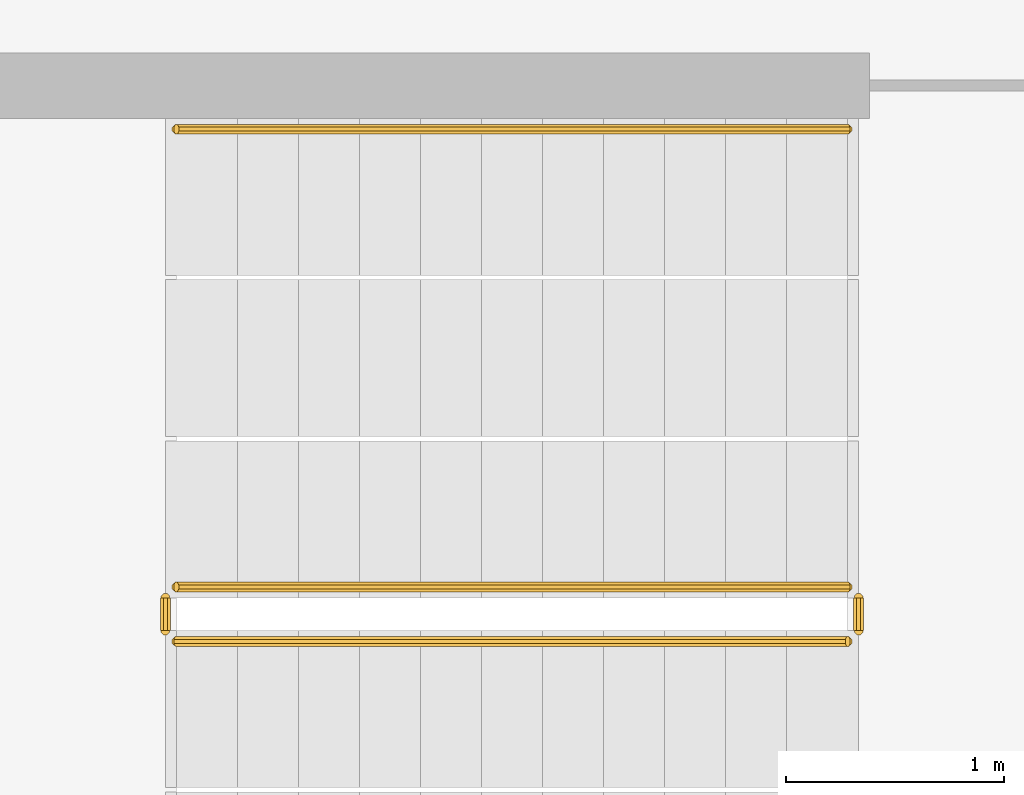
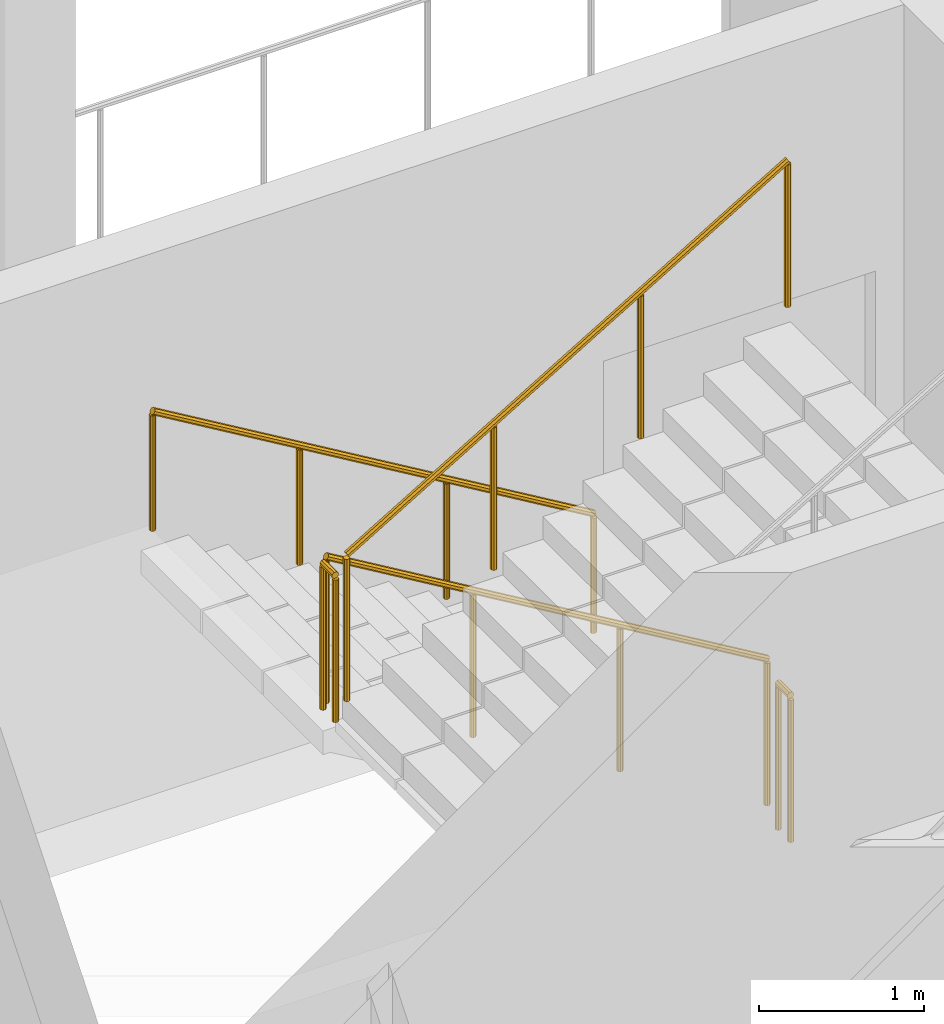
# One storey, part 20 of 28: 5 railings.
"""IFC4 building model written with IfcOpenShell, lengths in metres."""

from ifc_helpers import new_model, si_unit, direction, frame, origin, place, context, subcontext, project, spatial, polyline, outline, extrude, material, type_object, element, save


model = new_model("IFC4")

# Units and contexts
model_context = context("Model", 3, precision=1e-05, world=origin(), true_north=direction((0.0, 1.0)))
body_context = subcontext(model_context, "Body", "Model", "MODEL_VIEW")
ifc_project = project(units=[si_unit("LENGTHUNIT", "METRE"), si_unit("AREAUNIT", "SQUARE_METRE"), si_unit("VOLUMEUNIT", "CUBIC_METRE"), si_unit("PLANEANGLEUNIT", "RADIAN"), si_unit("MASSUNIT", "GRAM", prefix="KILO")], contexts=[model_context])

# Site, building, storey
site_placement = place(None, origin())
site = spatial("IfcSite", under=ifc_project, at=site_placement, CompositionType="ELEMENT")
building_placement = place(site_placement, origin())
building = spatial("IfcBuilding", under=site, at=building_placement, Name="Cormorant Relay Tower", CompositionType="ELEMENT")
storey_placement = place(building_placement, frame((0.0, 0.0, 142.199951171875)))
storey = spatial("IfcBuildingStorey", under=building, at=storey_placement, Name="L29", CompositionType="ELEMENT", Elevation=142.199951171875)

# Railings
ifc_material_1 = material(Name="Steel ASTM A572 Grade 50 (Fy 345 MPa)", Category="steel")
railing_type_1 = type_object("IfcRailingType", Name="Stair guard 1100", PredefinedType="GUARDRAIL", material=ifc_material_1)
railing_1_placement = place(storey_placement, frame((1.60009765625, -18.27490234375, 0.166748046875)))
element("IfcRailing", 1, at=railing_1_placement, inside=storey, type_object=railing_type_1, Name="L29 RK1 stair guard 1", PredefinedType="GUARDRAIL", context=body_context, shape_type="SweptSolid", body=[
    extrude(outline(polyline([(0.022216796875, 0.00927734375), (0.00927734375, 0.022216796875), (-0.00927734375, 0.022216796875), (-0.022216796875, 0.00927734375), (-0.022216796875, -0.00927734375), (-0.00927734375, -0.022216796875), (0.00927734375, -0.022216796875), (0.022216796875, -0.00927734375), (0.022216796875, 0.00927734375)])), frame((0.0, 0.0, 1.076171875), z_axis=(-0.859308565015, 0.0, 0.511457515432), x_axis=(0.0, -1.0, 0.0)), (0.0, 0.0, 1.0), 3.58447265625),
    extrude(outline(polyline([(0.019287109375, 0.008056640625), (0.008056640625, 0.019287109375), (-0.008056640625, 0.019287109375), (-0.019287109375, 0.008056640625), (-0.019287109375, -0.008056640625), (-0.008056640625, -0.019287109375), (0.008056640625, -0.019287109375), (0.019287109375, -0.008056640625), (0.019287109375, 0.008056640625)])), origin(), (0.0, 0.0, 1.0), 1.052001953125),
    extrude(outline(polyline([(0.019287109375, 0.008056640625), (0.008056640625, 0.019287109375), (-0.008056640625, 0.019287109375), (-0.019287109375, 0.008056640625), (-0.019287109375, -0.008056640625), (-0.008056640625, -0.019287109375), (0.008056640625, -0.019287109375), (0.019287109375, -0.008056640625), (0.019287109375, 0.008056640625)])), frame((-1.026611328125, 0.0, 0.611083984375)), (0.0, 0.0, 1.0), 1.052001953125),
    extrude(outline(polyline([(0.019287109375, 0.008056640625), (0.008056640625, 0.019287109375), (-0.008056640625, 0.019287109375), (-0.019287109375, 0.008056640625), (-0.019287109375, -0.008056640625), (-0.008056640625, -0.019287109375), (0.008056640625, -0.019287109375), (0.019287109375, -0.008056640625), (0.019287109375, 0.008056640625)])), frame((-2.053466796875, 0.0, 1.22216796875)), (0.0, 0.0, 1.0), 1.052001953125),
    extrude(outline(polyline([(0.019287109375, 0.008056640625), (0.008056640625, 0.019287109375), (-0.008056640625, 0.019287109375), (-0.019287109375, 0.008056640625), (-0.019287109375, -0.008056640625), (-0.008056640625, -0.019287109375), (0.008056640625, -0.019287109375), (0.019287109375, -0.008056640625), (0.019287109375, 0.008056640625)])), frame((-3.080078125, 0.0, 1.833251953125)), (0.0, 0.0, 1.0), 1.052001953125),
])
railing_2_placement = place(storey_placement, frame((-1.530029296875, -18.324951171875, 2.0)))
element("IfcRailing", 2, at=railing_2_placement, inside=storey, type_object=railing_type_1, Name="L29 RK1 stair guard 2", PredefinedType="GUARDRAIL", context=body_context, shape_type="SweptSolid", body=[
    extrude(outline(polyline([(0.022216796875, 0.00927734375), (0.00927734375, 0.022216796875), (-0.00927734375, 0.022216796875), (-0.022216796875, 0.00927734375), (-0.022216796875, -0.00927734375), (-0.00927734375, -0.022216796875), (0.00927734375, -0.022216796875), (0.022216796875, -0.00927734375), (0.022216796875, 0.00927734375)])), frame((0.0, 0.0, 1.076171875), z_axis=(0.0, -1.0, 0.0), x_axis=(1.0, 0.0, 0.0)), (0.0, 0.0, 1.0), 0.150146484375),
    extrude(outline(polyline([(0.019287109375, 0.008056640625), (0.008056640625, 0.019287109375), (-0.008056640625, 0.019287109375), (-0.019287109375, 0.008056640625), (-0.019287109375, -0.008056640625), (-0.008056640625, -0.019287109375), (0.008056640625, -0.019287109375), (0.019287109375, -0.008056640625), (0.019287109375, 0.008056640625)])), origin(), (0.0, 0.0, 1.0), 1.052001953125),
    extrude(outline(polyline([(0.019287109375, 0.008056640625), (0.008056640625, 0.019287109375), (-0.008056640625, 0.019287109375), (-0.019287109375, 0.008056640625), (-0.019287109375, -0.008056640625), (-0.008056640625, -0.019287109375), (0.008056640625, -0.019287109375), (0.019287109375, -0.008056640625), (0.019287109375, 0.008056640625)])), frame((0.0, -0.150146484375, 0.0)), (0.0, 0.0, 1.0), 1.052001953125),
])
railing_3_placement = place(storey_placement, frame((-1.47998046875, -18.52490234375, 2.166748046875)))
element("IfcRailing", 3, at=railing_3_placement, inside=storey, type_object=railing_type_1, Name="L29 RK1 stair guard 3", PredefinedType="GUARDRAIL", context=body_context, shape_type="SweptSolid", body=[
    extrude(outline(polyline([(0.022216796875, 0.00927734375), (0.00927734375, 0.022216796875), (-0.00927734375, 0.022216796875), (-0.022216796875, 0.00927734375), (-0.022216796875, -0.00927734375), (-0.00927734375, -0.022216796875), (0.00927734375, -0.022216796875), (0.022216796875, -0.00927734375), (0.022216796875, 0.00927734375)])), frame((0.0, 0.0, 1.076171875), z_axis=(0.859308565015, 0.0, 0.511457515432), x_axis=(0.0, 1.0, 0.0)), (0.0, 0.0, 1.0), 3.58447265625),
    extrude(outline(polyline([(0.019287109375, 0.008056640625), (0.008056640625, 0.019287109375), (-0.008056640625, 0.019287109375), (-0.019287109375, 0.008056640625), (-0.019287109375, -0.008056640625), (-0.008056640625, -0.019287109375), (0.008056640625, -0.019287109375), (0.019287109375, -0.008056640625), (0.019287109375, 0.008056640625)])), origin(), (0.0, 0.0, 1.0), 1.052001953125),
    extrude(outline(polyline([(0.019287109375, 0.008056640625), (0.008056640625, 0.019287109375), (-0.008056640625, 0.019287109375), (-0.019287109375, 0.008056640625), (-0.019287109375, -0.008056640625), (-0.008056640625, -0.019287109375), (0.008056640625, -0.019287109375), (0.019287109375, -0.008056640625), (0.019287109375, 0.008056640625)])), frame((1.026611328125, 0.0, 0.611083984375)), (0.0, 0.0, 1.0), 1.052001953125),
    extrude(outline(polyline([(0.019287109375, 0.008056640625), (0.008056640625, 0.019287109375), (-0.008056640625, 0.019287109375), (-0.019287109375, 0.008056640625), (-0.019287109375, -0.008056640625), (-0.008056640625, -0.019287109375), (0.008056640625, -0.019287109375), (0.019287109375, -0.008056640625), (0.019287109375, 0.008056640625)])), frame((2.053466796875, 0.0, 1.22216796875)), (0.0, 0.0, 1.0), 1.052001953125),
    extrude(outline(polyline([(0.019287109375, 0.008056640625), (0.008056640625, 0.019287109375), (-0.008056640625, 0.019287109375), (-0.019287109375, 0.008056640625), (-0.019287109375, -0.008056640625), (-0.008056640625, -0.019287109375), (0.008056640625, -0.019287109375), (0.019287109375, -0.008056640625), (0.019287109375, 0.008056640625)])), frame((3.080078125, 0.0, 1.833251953125)), (0.0, 0.0, 1.0), 1.052001953125),
])
railing_4_placement = place(storey_placement, frame((1.64990234375, -18.324951171875, 0.0)))
element("IfcRailing", 4, at=railing_4_placement, inside=storey, type_object=railing_type_1, Name="L29 RK1 stair guard 4", PredefinedType="GUARDRAIL", context=body_context, shape_type="SweptSolid", body=[
    extrude(outline(polyline([(0.022216796875, 0.00927734375), (0.00927734375, 0.022216796875), (-0.00927734375, 0.022216796875), (-0.022216796875, 0.00927734375), (-0.022216796875, -0.00927734375), (-0.00927734375, -0.022216796875), (0.00927734375, -0.022216796875), (0.022216796875, -0.00927734375), (0.022216796875, 0.00927734375)])), frame((0.0, 0.0, 1.076171875), z_axis=(0.0, -1.0, 0.0), x_axis=(1.0, 0.0, 0.0)), (0.0, 0.0, 1.0), 0.150146484375),
    extrude(outline(polyline([(0.019287109375, 0.008056640625), (0.008056640625, 0.019287109375), (-0.008056640625, 0.019287109375), (-0.019287109375, 0.008056640625), (-0.019287109375, -0.008056640625), (-0.008056640625, -0.019287109375), (0.008056640625, -0.019287109375), (0.019287109375, -0.008056640625), (0.019287109375, 0.008056640625)])), origin(), (0.0, 0.0, 1.0), 1.052001953125),
    extrude(outline(polyline([(0.019287109375, 0.008056640625), (0.008056640625, 0.019287109375), (-0.008056640625, 0.019287109375), (-0.019287109375, 0.008056640625), (-0.019287109375, -0.008056640625), (-0.008056640625, -0.019287109375), (0.008056640625, -0.019287109375), (0.019287109375, -0.008056640625), (0.019287109375, 0.008056640625)])), frame((0.0, -0.150146484375, 0.0)), (0.0, 0.0, 1.0), 1.052001953125),
])
ifc_material_2 = material(Name="Steel ASTM A572 Grade 50 (Fy 345 MPa)", Category="steel")
railing_type_2 = type_object("IfcRailingType", Name="Stair handrail 900", PredefinedType="HANDRAIL", material=ifc_material_2)
railing_5_placement = place(storey_placement, frame((1.60009765625, -16.175048828125, 0.166748046875)))
element("IfcRailing", 5, at=railing_5_placement, inside=storey, type_object=railing_type_2, Name="L29 RK1 stair handrail 1", PredefinedType="HANDRAIL", context=body_context, shape_type="SweptSolid", body=[
    extrude(outline(polyline([(0.022216796875, 0.00927734375), (0.00927734375, 0.022216796875), (-0.00927734375, 0.022216796875), (-0.022216796875, 0.00927734375), (-0.022216796875, -0.00927734375), (-0.00927734375, -0.022216796875), (0.00927734375, -0.022216796875), (0.022216796875, -0.00927734375), (0.022216796875, 0.00927734375)])), frame((0.0, 0.0, 0.8759765625), z_axis=(-0.859308565015, 0.0, 0.511457515432), x_axis=(0.0, -1.0, 0.0)), (0.0, 0.0, 1.0), 3.58447265625),
    extrude(outline(polyline([(0.019287109375, 0.008056640625), (0.008056640625, 0.019287109375), (-0.008056640625, 0.019287109375), (-0.019287109375, 0.008056640625), (-0.019287109375, -0.008056640625), (-0.008056640625, -0.019287109375), (0.008056640625, -0.019287109375), (0.019287109375, -0.008056640625), (0.019287109375, 0.008056640625)])), origin(), (0.0, 0.0, 1.0), 0.851806640625),
    extrude(outline(polyline([(0.019287109375, 0.008056640625), (0.008056640625, 0.019287109375), (-0.008056640625, 0.019287109375), (-0.019287109375, 0.008056640625), (-0.019287109375, -0.008056640625), (-0.008056640625, -0.019287109375), (0.008056640625, -0.019287109375), (0.019287109375, -0.008056640625), (0.019287109375, 0.008056640625)])), frame((-1.026611328125, 0.0, 0.611083984375)), (0.0, 0.0, 1.0), 0.851806640625),
    extrude(outline(polyline([(0.019287109375, 0.008056640625), (0.008056640625, 0.019287109375), (-0.008056640625, 0.019287109375), (-0.019287109375, 0.008056640625), (-0.019287109375, -0.008056640625), (-0.008056640625, -0.019287109375), (0.008056640625, -0.019287109375), (0.019287109375, -0.008056640625), (0.019287109375, 0.008056640625)])), frame((-2.053466796875, 0.0, 1.22216796875)), (0.0, 0.0, 1.0), 0.851806640625),
    extrude(outline(polyline([(0.019287109375, 0.008056640625), (0.008056640625, 0.019287109375), (-0.008056640625, 0.019287109375), (-0.019287109375, 0.008056640625), (-0.019287109375, -0.008056640625), (-0.008056640625, -0.019287109375), (0.008056640625, -0.019287109375), (0.019287109375, -0.008056640625), (0.019287109375, 0.008056640625)])), frame((-3.080078125, 0.0, 1.833251953125)), (0.0, 0.0, 1.0), 0.851806640625),
])

save(model, "model.ifc")
